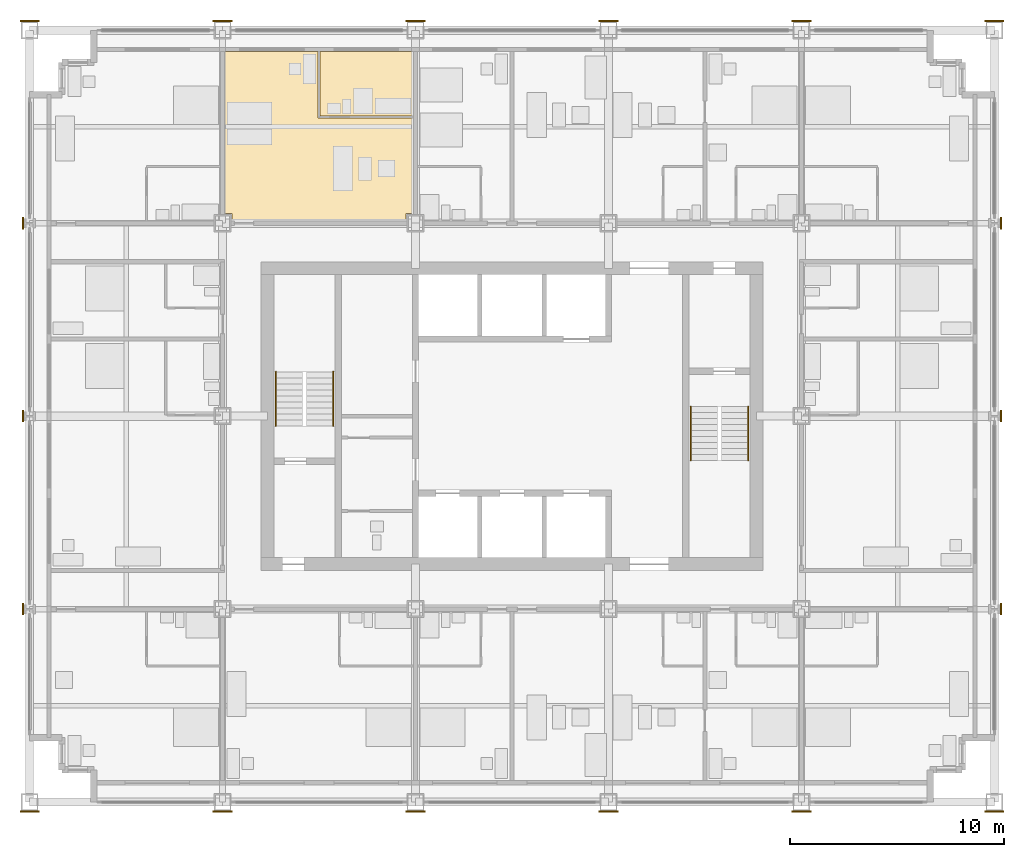
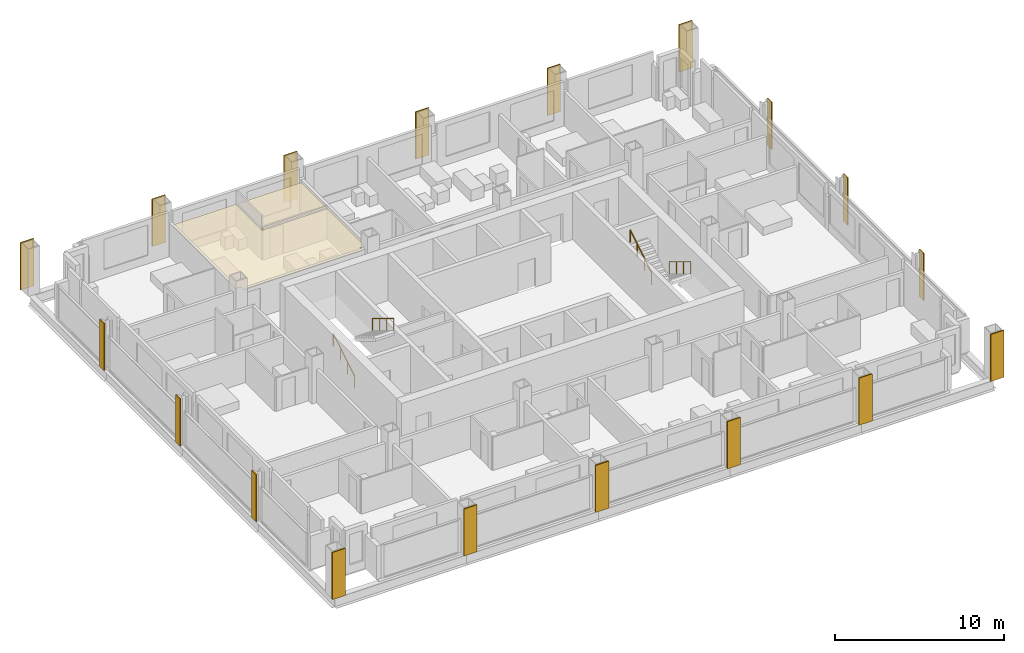
# One storey, part 14 of 16: 20 coverings, 4 railings.
"""IFC4 building model written with IfcOpenShell, lengths in metres."""

from ifc_helpers import new_model, si_unit, direction, frame, origin, origin_2d, place, context, subcontext, project, spatial, polyline, rectangle, circle, outline, extrude, material, layer, layer_set, type_object, element, save


model = new_model("IFC4")

# Units and contexts
model_context = context("Model", 3, precision=1e-05, world=origin(), true_north=direction((0.0, 1.0)))
body_context = subcontext(model_context, "Body", "Model", "MODEL_VIEW")
ifc_project = project(units=[si_unit("LENGTHUNIT", "METRE"), si_unit("AREAUNIT", "SQUARE_METRE"), si_unit("VOLUMEUNIT", "CUBIC_METRE"), si_unit("PLANEANGLEUNIT", "RADIAN"), si_unit("MASSUNIT", "GRAM", prefix="KILO")], contexts=[model_context])

# Site, building, storey
site_placement = place(None, origin())
site = spatial("IfcSite", under=ifc_project, at=site_placement, CompositionType="ELEMENT")
building_placement = place(site_placement, origin())
building = spatial("IfcBuilding", under=site, at=building_placement, Name="Loomwork Tower", CompositionType="ELEMENT")
storey_placement = place(building_placement, frame((0.0, 0.0, 148.60009765625)))
storey = spatial("IfcBuildingStorey", under=building, at=storey_placement, Name="L40", CompositionType="ELEMENT", Elevation=148.60009765625)

# Railings
ifc_material_1 = material(Name="Stainless steel handrail", Category="steel")
railing_type = type_object("IfcRailingType", Name="Handrail 900", PredefinedType="HANDRAIL", material=ifc_material_1)
railing_1_placement = place(storey_placement, frame((11.485107421875, 17.550048828125, 0.169921875)))
element("IfcRailing", 1, at=railing_1_placement, inside=storey, type_object=railing_type, Name="Stair A handrail flight 1 L40", PredefinedType="HANDRAIL", context=body_context, shape_type="SweptSolid", body=[
    extrude(circle(Radius=0.02392578125, at=origin_2d()), frame((0.0, 0.0, 0.8759765625), z_axis=(0.0, 0.85478489116, 0.518982456201), x_axis=(-1.0, 0.0, 0.0)), (0.0, 0.0, 1.0), 2.9482421875),
    extrude(circle(Radius=0.02099609375, at=origin_2d()), origin(), (0.0, 0.0, 1.0), 0.851806640625),
    extrude(circle(Radius=0.02099609375, at=origin_2d()), frame((0.0, 0.840087890625, 0.510009765625)), (0.0, 0.0, 1.0), 0.851806640625),
    extrude(circle(Radius=0.02099609375, at=origin_2d()), frame((0.0, 1.679931640625, 1.02001953125)), (0.0, 0.0, 1.0), 0.851806640625),
    extrude(circle(Radius=0.02099609375, at=origin_2d()), frame((0.0, 2.52001953125, 1.530029296875)), (0.0, 0.0, 1.0), 0.851806640625),
])
for number, where, name in (
    (2, (14.1650390625, 20.070068359375, 1.869873046875), "Stair A handrail flight 2 L40"),
    (3, (33.514892578125, 18.449951171875, 0.169921875), "Stair B handrail flight 1 L40"),
):
    element("IfcRailing", number, at=place(storey_placement, frame(where)), inside=storey, type_object=railing_type, Name=name, PredefinedType="HANDRAIL", context=body_context, shape_type="SweptSolid", body=[
        extrude(circle(Radius=0.02392578125, at=origin_2d()), frame((0.0, 0.0, 0.8759765625), z_axis=(0.0, -0.85478489116, 0.518982456201), x_axis=(1.0, 0.0, 0.0)), (0.0, 0.0, 1.0), 2.9482421875),
        extrude(circle(Radius=0.02099609375, at=origin_2d()), origin(), (0.0, 0.0, 1.0), 0.851806640625),
        extrude(circle(Radius=0.02099609375, at=origin_2d()), frame((0.0, -0.840087890625, 0.510009765625)), (0.0, 0.0, 1.0), 0.851806640625),
        extrude(circle(Radius=0.02099609375, at=origin_2d()), frame((0.0, -1.679931640625, 1.02001953125)), (0.0, 0.0, 1.0), 0.851806640625),
        extrude(circle(Radius=0.02099609375, at=origin_2d()), frame((0.0, -2.52001953125, 1.530029296875)), (0.0, 0.0, 1.0), 0.851806640625),
    ])
railing_2_placement = place(storey_placement, frame((30.8349609375, 15.929931640625, 1.869873046875)))
element("IfcRailing", 4, at=railing_2_placement, inside=storey, type_object=railing_type, Name="Stair B handrail flight 2 L40", PredefinedType="HANDRAIL", context=body_context, shape_type="SweptSolid", body=[
    extrude(circle(Radius=0.02392578125, at=origin_2d()), frame((0.0, 0.0, 0.8759765625), z_axis=(0.0, 0.85478489116, 0.518982456201), x_axis=(-1.0, 0.0, 0.0)), (0.0, 0.0, 1.0), 2.9482421875),
    extrude(circle(Radius=0.02099609375, at=origin_2d()), origin(), (0.0, 0.0, 1.0), 0.851806640625),
    extrude(circle(Radius=0.02099609375, at=origin_2d()), frame((0.0, 0.840087890625, 0.510009765625)), (0.0, 0.0, 1.0), 0.851806640625),
    extrude(circle(Radius=0.02099609375, at=origin_2d()), frame((0.0, 1.679931640625, 1.02001953125)), (0.0, 0.0, 1.0), 0.851806640625),
    extrude(circle(Radius=0.02099609375, at=origin_2d()), frame((0.0, 2.52001953125, 1.530029296875)), (0.0, 0.0, 1.0), 0.851806640625),
])

# Coverings
ifc_material_2 = material(Name="Limestone", Category="masonry")
ifc_layer_1 = layer(ifc_material_2, 0.080078125)
ifc_layer_set_1 = layer_set([ifc_layer_1], Name="Limestone pier facing 80")
covering_type_1 = type_object("IfcCoveringType", Name="Limestone pier facing 80", PredefinedType="CLADDING", material=ifc_layer_set_1)
covering_1_placement = place(storey_placement, frame((0.0, -0.43994140625, 0.0), z_axis=(0.0, 0.0, 1.0), x_axis=(1.0, 0.0, 0.0)))
element("IfcCovering", 5, at=covering_1_placement, inside=storey, type_object=covering_type_1, Name="Pier facing D/2 L40", PredefinedType="CLADDING", context=body_context, shape_type="SweptSolid", body=[
    extrude(rectangle(XDim=0.89990234375, YDim=0.080078125, at=origin_2d()), origin(), (0.0, 0.0, 1.0), 3.39990234375),
])
for number, where, z_axis, x_axis, name in (
    (6, (-0.305419921875, 9.0, 0.0), (0.0, 0.0, 1.0), (1.0, 0.0, 0.0), "Pier facing E/2 L40"),
    (7, (-0.305419921875, 18.0, 0.0), (0.0, 0.0, 1.0), (1.0, 0.0, 0.0), "Pier facing F/2 L40"),
    (8, (-0.305419921875, 27.0, 0.0), (0.0, 0.0, 1.0), (1.0, 0.0, 0.0), "Pier facing G/2 L40"),
):
    element("IfcCovering", number, at=place(storey_placement, frame(where, z_axis=z_axis, x_axis=x_axis)), inside=storey, type_object=covering_type_1, Name=name, PredefinedType="CLADDING", context=body_context, shape_type="SweptSolid", body=[
        extrude(rectangle(XDim=0.080078125, YDim=0.5419921875, at=origin_2d()), origin(), (0.0, 0.0, 1.0), 3.39990234375),
    ])
for number, where, z_axis, x_axis, name in (
    (9, (0.0, 36.43994140625, 0.0), (0.0, 0.0, 1.0), (1.0, 0.0, 0.0), "Pier facing H/2 L40"),
    (10, (9.0, -0.43994140625, 0.0), (0.0, 0.0, 1.0), (1.0, 0.0, 0.0), "Pier facing D/3 L40"),
    (11, (9.0, 36.43994140625, 0.0), (0.0, 0.0, 1.0), (1.0, 0.0, 0.0), "Pier facing H/3 L40"),
    (12, (18.0, -0.43994140625, 0.0), (0.0, 0.0, 1.0), (1.0, 0.0, 0.0), "Pier facing D/4 L40"),
    (13, (18.0, 36.43994140625, 0.0), (0.0, 0.0, 1.0), (1.0, 0.0, 0.0), "Pier facing H/4 L40"),
    (14, (27.0, -0.43994140625, 0.0), (0.0, 0.0, 1.0), (1.0, 0.0, 0.0), "Pier facing D/5 L40"),
    (15, (27.0, 36.43994140625, 0.0), (0.0, 0.0, 1.0), (1.0, 0.0, 0.0), "Pier facing H/5 L40"),
    (16, (36.0, -0.43994140625, 0.0), (0.0, 0.0, 1.0), (1.0, 0.0, 0.0), "Pier facing D/6 L40"),
    (17, (36.0, 36.43994140625, 0.0), (0.0, 0.0, 1.0), (1.0, 0.0, 0.0), "Pier facing H/6 L40"),
    (18, (45.0, -0.43994140625, 0.0), (0.0, 0.0, 1.0), (1.0, 0.0, 0.0), "Pier facing D/7 L40"),
):
    element("IfcCovering", number, at=place(storey_placement, frame(where, z_axis=z_axis, x_axis=x_axis)), inside=storey, type_object=covering_type_1, Name=name, PredefinedType="CLADDING", context=body_context, shape_type="SweptSolid", body=[
        extrude(rectangle(XDim=0.89990234375, YDim=0.080078125, at=origin_2d()), origin(), (0.0, 0.0, 1.0), 3.39990234375),
    ])
for number, where, z_axis, x_axis, name in (
    (19, (45.305419921875, 9.0, 0.0), (0.0, 0.0, 1.0), (1.0, 0.0, 0.0), "Pier facing E/7 L40"),
    (20, (45.305419921875, 18.0, 0.0), (0.0, 0.0, 1.0), (1.0, 0.0, 0.0), "Pier facing F/7 L40"),
    (21, (45.305419921875, 27.0, 0.0), (0.0, 0.0, 1.0), (1.0, 0.0, 0.0), "Pier facing G/7 L40"),
):
    element("IfcCovering", number, at=place(storey_placement, frame(where, z_axis=z_axis, x_axis=x_axis)), inside=storey, type_object=covering_type_1, Name=name, PredefinedType="CLADDING", context=body_context, shape_type="SweptSolid", body=[
        extrude(rectangle(XDim=0.080078125, YDim=0.5419921875, at=origin_2d()), origin(), (0.0, 0.0, 1.0), 3.39990234375),
    ])
covering_2_placement = place(storey_placement, frame((45.0, 36.43994140625, 0.0), z_axis=(0.0, 0.0, 1.0), x_axis=(1.0, 0.0, 0.0)))
element("IfcCovering", 22, at=covering_2_placement, inside=storey, type_object=covering_type_1, Name="Pier facing H/7 L40", PredefinedType="CLADDING", context=body_context, shape_type="SweptSolid", body=[
    extrude(rectangle(XDim=0.89990234375, YDim=0.080078125, at=origin_2d()), origin(), (0.0, 0.0, 1.0), 3.39990234375),
])
ifc_material_3 = material(Name="Mineral fibre acoustic tile on suspension grid")
ifc_layer_2 = layer(ifc_material_3, 0.02490234375)
ifc_layer_set_2 = layer_set([ifc_layer_2], Name="Suspended acoustic ceiling")
covering_type_2 = type_object("IfcCoveringType", Name="Suspended acoustic ceiling", PredefinedType="CEILING", material=ifc_layer_set_2)
covering_3_placement = place(storey_placement, frame((0.0, 0.0, 2.1748046875)))
element("IfcCovering", 23, at=covering_3_placement, inside=storey, type_object=covering_type_2, Name="Ceiling Spa bathroom L40", PredefinedType="CEILING", context=body_context, shape_type="SweptSolid", body=[
    extrude(outline(polyline([(13.550048828125, 35.0), (17.89990234375, 35.0), (17.89990234375, 32.0), (13.550048828125, 32.0), (13.550048828125, 35.0)])), origin(), (0.0, 0.0, 1.0), 0.025146484375),
])
covering_4_placement = place(storey_placement, frame((0.0, 0.0, 2.1748046875)))
element("IfcCovering", 24, at=covering_4_placement, inside=storey, type_object=covering_type_2, Name="Ceiling Spa suite L40", PredefinedType="CEILING", context=body_context, shape_type="SweptSolid", body=[
    extrude(outline(polyline([(9.10009765625, 35.0), (13.449951171875, 35.0), (13.449951171875, 31.89990234375), (17.89990234375, 31.89990234375), (17.89990234375, 27.449951171875), (17.550048828125, 27.449951171875), (17.550048828125, 27.10009765625), (9.449951171875, 27.10009765625), (9.449951171875, 27.449951171875), (9.10009765625, 27.449951171875), (9.10009765625, 35.0)])), origin(), (0.0, 0.0, 1.0), 0.025146484375),
])

save(model, "model.ifc")
